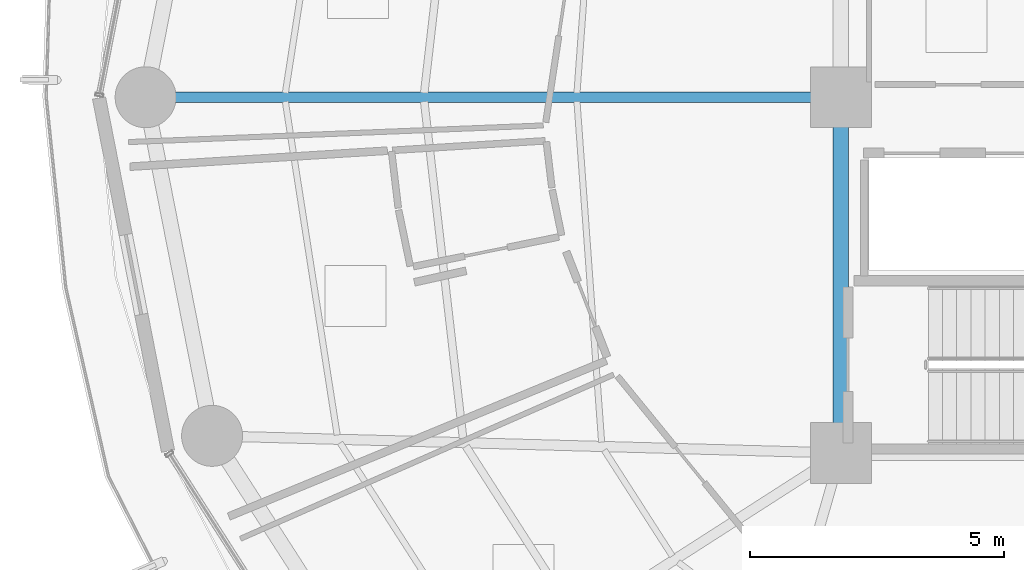
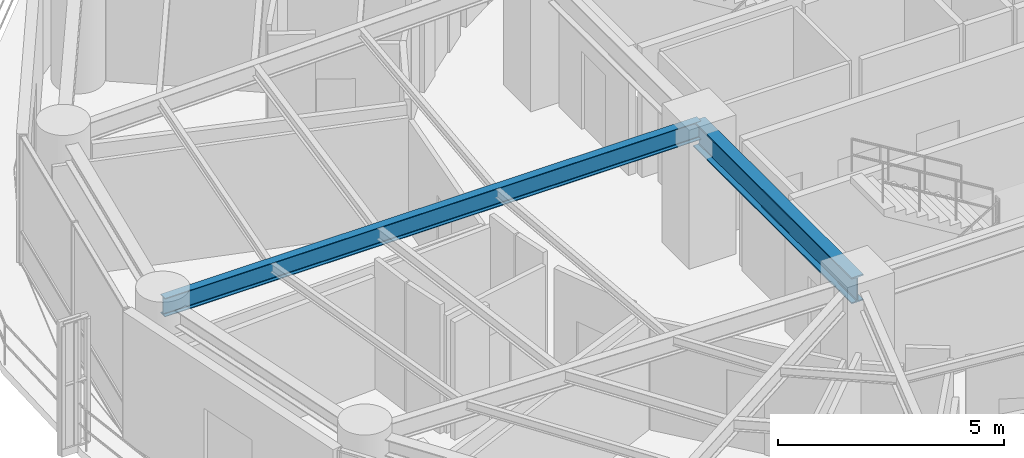
# One storey, part 7 of 27: 2 beams.
"""IFC4 building model written with IfcOpenShell, lengths in metres."""

from ifc_helpers import new_model, si_unit, direction, frame, origin, origin_2d, place, context, subcontext, project, spatial, i_section, extrude, material, material_profile, profile_set, type_object, element, save


model = new_model("IFC4")

# Units and contexts
model_context = context("Model", 3, precision=1e-05, world=origin(), true_north=direction((0.0, 1.0)))
body_context = subcontext(model_context, "Body", "Model", "MODEL_VIEW")
ifc_project = project(units=[si_unit("LENGTHUNIT", "METRE"), si_unit("AREAUNIT", "SQUARE_METRE"), si_unit("VOLUMEUNIT", "CUBIC_METRE"), si_unit("PLANEANGLEUNIT", "RADIAN"), si_unit("MASSUNIT", "GRAM", prefix="KILO")], contexts=[model_context])

# Site, building, storey
site_placement = place(None, origin())
site = spatial("IfcSite", under=ifc_project, at=site_placement, CompositionType="ELEMENT")
building_placement = place(site_placement, origin())
building = spatial("IfcBuilding", under=site, at=building_placement, Name="Kelanora Arch Commons", CompositionType="ELEMENT")
storey_placement = place(building_placement, frame((0.0, 0.0, 146.85009765625)))
storey = spatial("IfcBuildingStorey", under=building, at=storey_placement, Name="L37", CompositionType="ELEMENT", Elevation=146.85009765625)

# Beams
ifc_material = material(Name="Steel S355", Category="steel")
ifc_material_profile_1 = material_profile(ifc_material, i_section(OverallWidth=0.300048828125, OverallDepth=0.699951171875, WebThickness=0.01708984375, FlangeThickness=0.031982421875, FilletRadius=0.027099609375, at=origin_2d()), Name="HEB700")
ifc_profile_set_1 = profile_set([ifc_material_profile_1], Name="Steel S355")
beam_type_1 = type_object("IfcBeamType", Name="BM-CORE-HDR", PredefinedType="BEAM", material=ifc_profile_set_1)
beam_1_placement = place(storey_placement, frame((66.0, 58.0, 3.139892578125), z_axis=(0.0, -1.0, 0.0), x_axis=(1.0, 0.0, 0.0)))
element("IfcBeam", 1, at=beam_1_placement, inside=storey, type_object=beam_type_1, Name="Core Header Beam 09 L37", PredefinedType="BEAM", context=body_context, shape_type="SweptSolid", body=[
    extrude(i_section(OverallWidth=0.300048828125, OverallDepth=0.699951171875, WebThickness=0.01708984375, FlangeThickness=0.031982421875, FilletRadius=0.027099609375, at=origin_2d()), origin(), (0.0, 0.0, 1.0), 7.0),
])
ifc_material_profile_2 = material_profile(ifc_material, i_section(OverallWidth=0.199951171875, OverallDepth=0.5, WebThickness=0.01025390625, FlangeThickness=0.01611328125, FilletRadius=0.02099609375, at=origin_2d()), Name="IPE500")
ifc_profile_set_2 = profile_set([ifc_material_profile_2], Name="Steel S355")
beam_type_2 = type_object("IfcBeamType", Name="BM-RAD-Z3", PredefinedType="BEAM", material=ifc_profile_set_2)
beam_2_placement = place(storey_placement, frame((66.0, 58.0, 3.239990234375), z_axis=(-1.0, 0.0, 0.0), x_axis=(0.0, -1.0, 0.0)))
element("IfcBeam", 2, at=beam_2_placement, inside=storey, type_object=beam_type_2, Name="Radial Floor Girder BR-18 L37", PredefinedType="BEAM", context=body_context, shape_type="SweptSolid", body=[
    extrude(i_section(OverallWidth=0.199951171875, OverallDepth=0.5, WebThickness=0.01025390625, FlangeThickness=0.01611328125, FilletRadius=0.02099609375, at=origin_2d()), origin(), (0.0, 0.0, 1.0), 13.679931640625),
])

save(model, "model.ifc")
